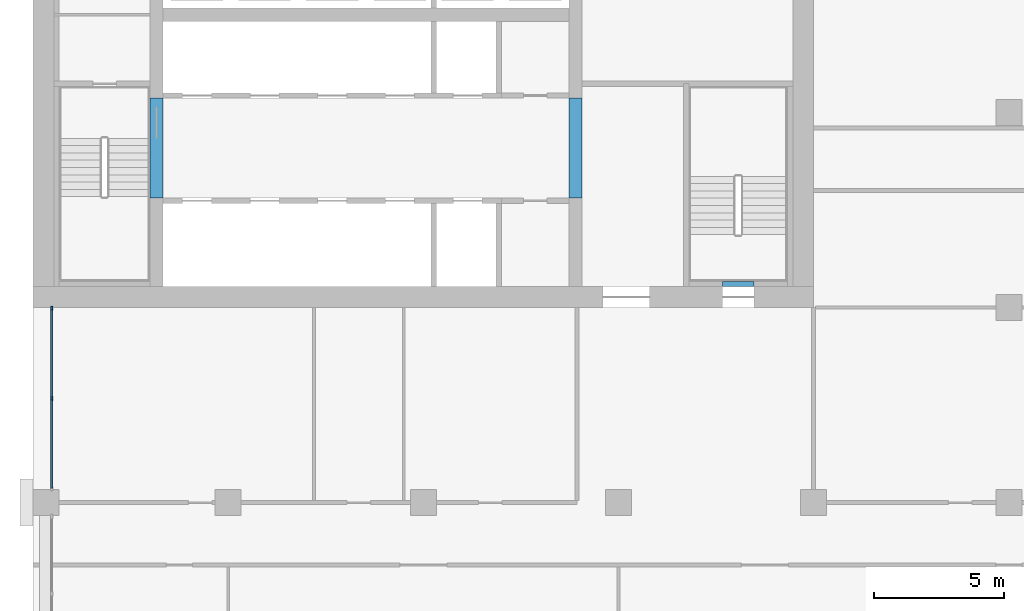
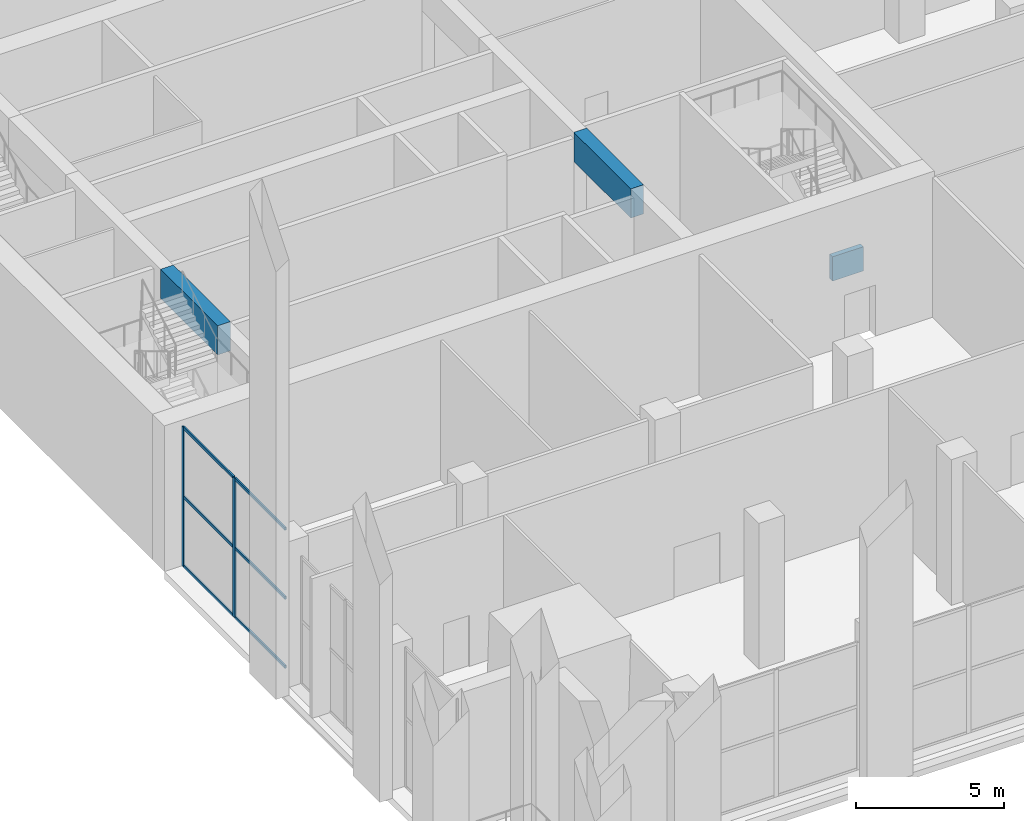
# One storey, part 3 of 23: 8 members, 3 beams, 1 element without a shape of its own.
"""IFC4 building model written with IfcOpenShell, lengths in metres."""

from ifc_helpers import new_model, si_unit, direction, frame, origin, origin_2d, place, context, subcontext, project, spatial, rectangle, extrude, material, layer, layer_set, material_profile, profile_set, type_object, element, aggregate, save


model = new_model("IFC4")

# Units and contexts
model_context = context("Model", 3, precision=1e-05, world=origin(), true_north=direction((0.0, 1.0)))
body_context = subcontext(model_context, "Body", "Model", "MODEL_VIEW")
ifc_project = project(units=[si_unit("LENGTHUNIT", "METRE"), si_unit("AREAUNIT", "SQUARE_METRE"), si_unit("VOLUMEUNIT", "CUBIC_METRE"), si_unit("PLANEANGLEUNIT", "RADIAN"), si_unit("MASSUNIT", "GRAM", prefix="KILO")], contexts=[model_context])

# Site, building, storey
site_placement = place(None, origin())
site = spatial("IfcSite", under=ifc_project, at=site_placement, CompositionType="ELEMENT")
building_placement = place(site_placement, origin())
building = spatial("IfcBuilding", under=site, at=building_placement, Name="Tamorin Gate", CompositionType="ELEMENT")
storey_placement = place(building_placement, frame((0.0, 0.0, 124.199951171875)))
storey = spatial("IfcBuildingStorey", under=building, at=storey_placement, Name="L30", CompositionType="ELEMENT", Elevation=124.199951171875)

# Curtain wall, members
ifc_material_1 = material(Name="Aluminium mullions and transoms with clear glass", Category="aluminium")
ifc_layer = layer(ifc_material_1, 0.159912109375)
ifc_layer_set = layer_set([ifc_layer], Name="Curtain wall system CW1")
curtain_wall_type = type_object("IfcCurtainWallType", Name="Curtain wall system CW1", PredefinedType="NOTDEFINED", material=ifc_layer_set)
curtain_wall_placement = place(storey_placement, origin())
curtain_wall = element("IfcCurtainWall", 1, at=curtain_wall_placement, inside=storey, type_object=curtain_wall_type, Name="Curtain wall", PredefinedType="NOTDEFINED")
ifc_material_2 = material(Name="Aluminium", Category="aluminium")
ifc_material_profile_1 = material_profile(ifc_material_2, rectangle(XDim=0.06005859375, YDim=0.159912109375, at=origin_2d()), Name="RECT 60x160")
ifc_profile_set_1 = profile_set([ifc_material_profile_1], Name="Aluminium")
member_type_1 = type_object("IfcMemberType", Name="Aluminium mullion 60x160", PredefinedType="MULLION", material=ifc_profile_set_1)
member_1_placement = place(storey_placement, frame((30.719970703125, 59.969970703125, 0.0), z_axis=(0.0, 0.0, 1.0), x_axis=(1.0, 0.0, 0.0)))
member_1 = element("IfcMember", 2, at=member_1_placement, type_object=member_type_1, Name="CW1 mullion 1", PredefinedType="MULLION", context=body_context, shape_type="SweptSolid", body=[
    extrude(rectangle(XDim=0.06005859375, YDim=0.159912109375, at=origin_2d()), origin(), (0.0, 0.0, 1.0), 5.75),
])
member_2_placement = place(storey_placement, frame((30.719970703125, 56.5, 0.0), z_axis=(0.0, 0.0, 1.0), x_axis=(1.0, 0.0, 0.0)))
member_2 = element("IfcMember", 3, at=member_2_placement, type_object=member_type_1, Name="CW1 mullion 2", PredefinedType="MULLION", context=body_context, shape_type="SweptSolid", body=[
    extrude(rectangle(XDim=0.06005859375, YDim=0.159912109375, at=origin_2d()), origin(), (0.0, 0.0, 1.0), 5.75),
])
ifc_material_profile_2 = material_profile(ifc_material_2, rectangle(XDim=0.06005859375, YDim=0.1201171875, at=origin_2d()), Name="RECT 60x120")
ifc_profile_set_2 = profile_set([ifc_material_profile_2], Name="Aluminium")
member_type_2 = type_object("IfcMemberType", Name="Aluminium transom 60x120", PredefinedType="USERDEFINED", material=ifc_profile_set_2)
member_3_placement = place(storey_placement, frame((30.719970703125, 59.93994140625, 0.030029296875), z_axis=(0.0, -1.0, 0.0), x_axis=(1.0, 0.0, 0.0)))
member_3 = element("IfcMember", 4, at=member_3_placement, type_object=member_type_2, Name="CW1 transom 1.1", ObjectType="TRANSOM", PredefinedType="USERDEFINED", context=body_context, shape_type="SweptSolid", body=[
    extrude(rectangle(XDim=0.06005859375, YDim=0.1201171875, at=origin_2d()), origin(), (0.0, 0.0, 1.0), 3.409912109375),
])
member_4_placement = place(storey_placement, frame((30.719970703125, 59.93994140625, 2.875), z_axis=(0.0, -1.0, 0.0), x_axis=(1.0, 0.0, 0.0)))
member_4 = element("IfcMember", 5, at=member_4_placement, type_object=member_type_2, Name="CW1 transom 1.2", ObjectType="TRANSOM", PredefinedType="USERDEFINED", context=body_context, shape_type="SweptSolid", body=[
    extrude(rectangle(XDim=0.06005859375, YDim=0.1201171875, at=origin_2d()), origin(), (0.0, 0.0, 1.0), 3.409912109375),
])
member_5_placement = place(storey_placement, frame((30.719970703125, 59.93994140625, 5.719970703125), z_axis=(0.0, -1.0, 0.0), x_axis=(1.0, 0.0, 0.0)))
member_5 = element("IfcMember", 6, at=member_5_placement, type_object=member_type_2, Name="CW1 transom 1.3", ObjectType="TRANSOM", PredefinedType="USERDEFINED", context=body_context, shape_type="SweptSolid", body=[
    extrude(rectangle(XDim=0.06005859375, YDim=0.1201171875, at=origin_2d()), origin(), (0.0, 0.0, 1.0), 3.409912109375),
])
member_6_placement = place(storey_placement, frame((30.719970703125, 56.469970703125, 0.030029296875), z_axis=(0.0, -1.0, 0.0), x_axis=(1.0, 0.0, 0.0)))
member_6 = element("IfcMember", 7, at=member_6_placement, type_object=member_type_2, Name="CW1 transom 2.1", ObjectType="TRANSOM", PredefinedType="USERDEFINED", context=body_context, shape_type="SweptSolid", body=[
    extrude(rectangle(XDim=0.06005859375, YDim=0.1201171875, at=origin_2d()), origin(), (0.0, 0.0, 1.0), 3.409912109375),
])
member_7_placement = place(storey_placement, frame((30.719970703125, 56.469970703125, 2.875), z_axis=(0.0, -1.0, 0.0), x_axis=(1.0, 0.0, 0.0)))
member_7 = element("IfcMember", 8, at=member_7_placement, type_object=member_type_2, Name="CW1 transom 2.2", ObjectType="TRANSOM", PredefinedType="USERDEFINED", context=body_context, shape_type="SweptSolid", body=[
    extrude(rectangle(XDim=0.06005859375, YDim=0.1201171875, at=origin_2d()), origin(), (0.0, 0.0, 1.0), 3.409912109375),
])
member_8_placement = place(storey_placement, frame((30.719970703125, 56.469970703125, 5.719970703125), z_axis=(0.0, -1.0, 0.0), x_axis=(1.0, 0.0, 0.0)))
member_8 = element("IfcMember", 9, at=member_8_placement, type_object=member_type_2, Name="CW1 transom 2.3", ObjectType="TRANSOM", PredefinedType="USERDEFINED", context=body_context, shape_type="SweptSolid", body=[
    extrude(rectangle(XDim=0.06005859375, YDim=0.1201171875, at=origin_2d()), origin(), (0.0, 0.0, 1.0), 3.409912109375),
])
aggregate(curtain_wall, [member_1, member_2, member_3, member_4, member_5, member_6, member_7, member_8])

# Beams
ifc_material_3 = material(Name="Concrete C60/75", Category="concrete")
ifc_material_profile_3 = material_profile(ifc_material_3, rectangle(XDim=0.5, YDim=1.199951171875, at=origin_2d()), Name="RC 500x1200")
ifc_profile_set_3 = profile_set([ifc_material_profile_3], Name="Concrete C60/75")
beam_type_1 = type_object("IfcBeamType", Name="RC coupling beam 500x1200 C60/75", PredefinedType="BEAM", material=ifc_profile_set_3)
for number, where, z_axis, x_axis, name in (
    (10, (34.75, 64.199951171875, 5.400146484375), (0.0, 1.0, 0.0), (-1.0, 0.0, 0.0), "Coupling beam L30"),
    (11, (50.85009765625, 64.199951171875, 5.400146484375), (0.0, 1.0, 0.0), (-1.0, 0.0, 0.0), "Coupling beam L30"),
):
    element("IfcBeam", number, at=place(storey_placement, frame(where, z_axis=z_axis, x_axis=x_axis)), inside=storey, type_object=beam_type_1, Name=name, PredefinedType="BEAM", context=body_context, shape_type="SweptSolid", body=[
        extrude(rectangle(XDim=0.5, YDim=1.199951171875, at=origin_2d()), origin(), (0.0, 0.0, 1.0), 3.85009765625),
    ])
ifc_material_profile_4 = material_profile(ifc_material_3, rectangle(XDim=0.199951171875, YDim=1.0, at=origin_2d()))
ifc_profile_set_4 = profile_set([ifc_material_profile_4], Name="Concrete C60/75")
beam_type_2 = type_object("IfcBeamType", Name="Stair lintel 200x1000 C60/75", PredefinedType="BEAM", material=ifc_profile_set_4)
beam_placement = place(storey_placement, frame((56.5, 60.89990234375, 2.699951171875), z_axis=(1.0, 0.0, 0.0), x_axis=(0.0, 1.0, 0.0)))
element("IfcBeam", 12, at=beam_placement, inside=storey, type_object=beam_type_2, Name="Stair lintel", PredefinedType="BEAM", context=body_context, shape_type="SweptSolid", body=[
    extrude(rectangle(XDim=0.199951171875, YDim=1.0, at=origin_2d()), origin(), (0.0, 0.0, 1.0), 1.199951171875),
])

save(model, "model.ifc")
